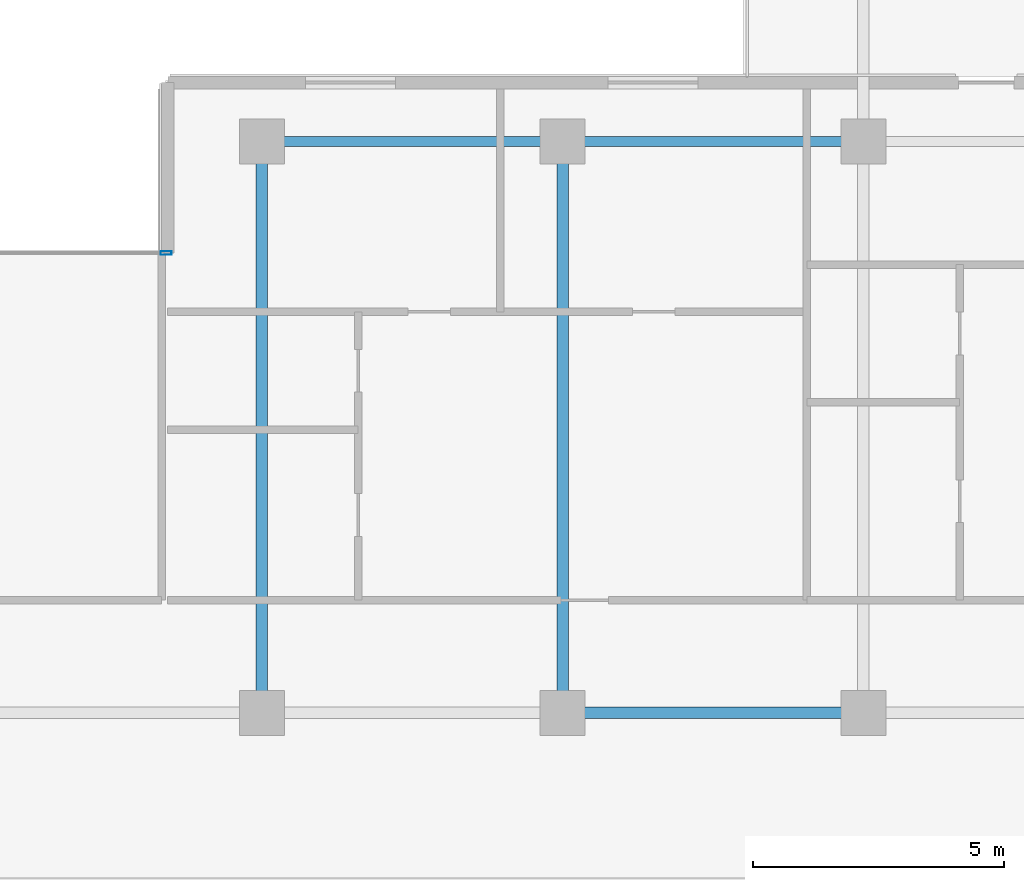
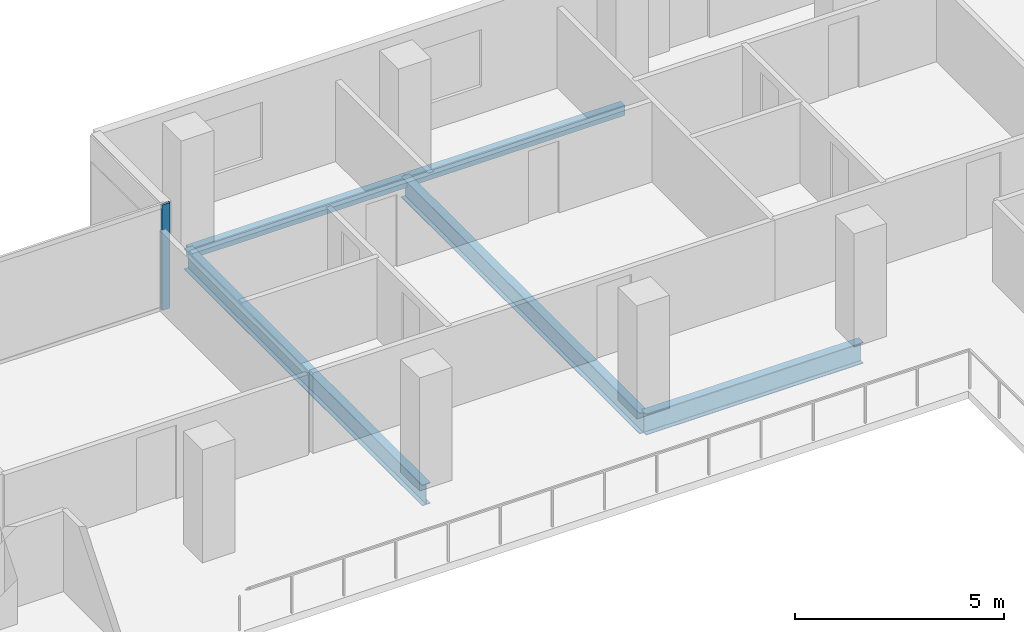
# One storey, part 11 of 29: 5 beams, 1 member, 1 element without a shape of its own.
"""IFC4 building model written with IfcOpenShell, lengths in metres."""

from ifc_helpers import new_model, si_unit, direction, frame, origin, origin_2d, place, context, subcontext, project, spatial, hollow_rectangle, i_section, extrude, material, layer, layer_set, material_profile, profile_set, type_object, element, aggregate, save


model = new_model("IFC4")

# Units and contexts
model_context = context("Model", 3, precision=1e-05, world=origin(), true_north=direction((0.0, 1.0)))
body_context = subcontext(model_context, "Body", "Model", "MODEL_VIEW")
ifc_project = project(units=[si_unit("LENGTHUNIT", "METRE"), si_unit("AREAUNIT", "SQUARE_METRE"), si_unit("VOLUMEUNIT", "CUBIC_METRE"), si_unit("PLANEANGLEUNIT", "RADIAN"), si_unit("MASSUNIT", "GRAM", prefix="KILO")], contexts=[model_context])

# Site, building, storey
site_placement = place(None, origin())
site = spatial("IfcSite", under=ifc_project, at=site_placement, CompositionType="ELEMENT")
building_placement = place(site_placement, origin())
building = spatial("IfcBuilding", under=site, at=building_placement, Name="Tanjung Sevakor Pilgrim Tower", CompositionType="ELEMENT")
storey_placement = place(building_placement, frame((0.0, 0.0, 151.800048828125)))
storey = spatial("IfcBuildingStorey", under=building, at=storey_placement, Name="L42", CompositionType="ELEMENT", Elevation=151.800048828125)

# Beams
ifc_material_1 = material(Name="Steel S355J2", Category="steel")
ifc_material_profile_1 = material_profile(ifc_material_1, i_section(OverallWidth=0.230224609375, OverallDepth=0.6171875, WebThickness=0.01318359375, FlangeThickness=0.022216796875, FilletRadius=0.0126953125, at=origin_2d()))
ifc_profile_set_1 = profile_set([ifc_material_profile_1], Name="Steel S355J2")
beam_type_1 = type_object("IfcBeamType", Name="BM-B-G3-UB_610x229x140", PredefinedType="BEAM", material=ifc_profile_set_1)
beam_placement = place(storey_placement, frame((60.0, 42.60009765625, -0.528564453125), z_axis=(1.0, 0.0, 0.0), x_axis=(0.0, 1.0, 0.0)))
element("IfcBeam", 1, at=beam_placement, inside=storey, type_object=beam_type_1, Name="L42 Primary Floor Girder MAIN Y426-05", PredefinedType="BEAM", context=body_context, shape_type="SweptSolid", body=[
    extrude(i_section(OverallWidth=0.230224609375, OverallDepth=0.6171875, WebThickness=0.01318359375, FlangeThickness=0.022216796875, FilletRadius=0.0126953125, at=origin_2d()), origin(), (0.0, 0.0, 1.0), 6.0),
])
ifc_material_2 = material(Name="Steel S355J2", Category="steel")
ifc_material_profile_2 = material_profile(ifc_material_2, i_section(OverallWidth=0.22900390625, OverallDepth=0.6123046875, WebThickness=0.011962890625, FlangeThickness=0.01953125, FilletRadius=0.0126953125, at=origin_2d()))
ifc_profile_set_2 = profile_set([ifc_material_profile_2], Name="Steel S355J2")
beam_type_2 = type_object("IfcBeamType", Name="BM-B-G4-UB_610x229x125", PredefinedType="BEAM", material=ifc_profile_set_2)
for number, where, z_axis, x_axis, name in (
    (2, (54.0, 42.60009765625, -0.526123046875), (0.0, 1.0, 0.0), (-1.0, 0.0, 0.0), "L42 MAIN Girder 007"),
    (3, (60.0, 42.60009765625, -0.526123046875), (0.0, 1.0, 0.0), (-1.0, 0.0, 0.0), "L42 MAIN Girder 009"),
):
    element("IfcBeam", number, at=place(storey_placement, frame(where, z_axis=z_axis, x_axis=x_axis)), inside=storey, type_object=beam_type_2, Name=name, PredefinedType="BEAM", context=body_context, shape_type="SweptSolid", body=[
        extrude(i_section(OverallWidth=0.22900390625, OverallDepth=0.6123046875, WebThickness=0.011962890625, FlangeThickness=0.01953125, FilletRadius=0.0126953125, at=origin_2d()), origin(), (0.0, 0.0, 1.0), 11.39990234375),
    ])
ifc_material_3 = material(Name="Steel S355J2", Category="steel")
ifc_material_profile_3 = material_profile(ifc_material_3, hollow_rectangle(XDim=0.199951171875, YDim=0.300048828125, WallThickness=0.012451171875, at=origin_2d()))
ifc_profile_set_3 = profile_set([ifc_material_profile_3], Name="Steel S355J2")
beam_type_3 = type_object("IfcBeamType", Name="BM-B-SP3-RHS_300x200x12.5", PredefinedType="SPANDREL", material=ifc_profile_set_3)
for number, where, z_axis, x_axis, name in (
    (4, (54.0, 54.0, -0.3701171875), (1.0, 0.0, 0.0), (0.0, 1.0, 0.0), "L42 Spandrel MAIN N-08"),
    (5, (60.0, 54.0, -0.3701171875), (1.0, 0.0, 0.0), (0.0, 1.0, 0.0), "L42 Spandrel MAIN N-10"),
):
    element("IfcBeam", number, at=place(storey_placement, frame(where, z_axis=z_axis, x_axis=x_axis)), inside=storey, type_object=beam_type_3, Name=name, PredefinedType="SPANDREL", context=body_context, shape_type="SweptSolid", body=[
        extrude(hollow_rectangle(XDim=0.199951171875, YDim=0.300048828125, WallThickness=0.012451171875, at=origin_2d()), origin(), (0.0, 0.0, 1.0), 6.0),
    ])

# Curtain wall, member
ifc_material_4 = material(Name="Aluminium 6063-T6 and Low-E Glass", Category="aluminium")
ifc_layer = layer(ifc_material_4, 0.179931640625)
ifc_layer_set = layer_set([ifc_layer], Name="CW-SYS-CLEFT")
curtain_wall_type = type_object("IfcCurtainWallType", Name="CW-SYS-CLEFT", PredefinedType="NOTDEFINED", material=ifc_layer_set)
curtain_wall_placement = place(storey_placement, origin())
curtain_wall = element("IfcCurtainWall", 6, at=curtain_wall_placement, inside=storey, type_object=curtain_wall_type, Name="L42 Curtain Wall CW-CLF-L42-10", PredefinedType="NOTDEFINED")
ifc_material_5 = material(Name="Aluminium 6063-T6", Category="aluminium")
ifc_material_profile_4 = material_profile(ifc_material_5, hollow_rectangle(XDim=0.074951171875, YDim=0.219970703125, WallThickness=0.0048828125, at=origin_2d()))
ifc_profile_set_4 = profile_set([ifc_material_profile_4], Name="Aluminium 6063-T6")
member_type = type_object("IfcMemberType", Name="TYPE-CWM-2", PredefinedType="MULLION", material=ifc_profile_set_4)
member_placement = place(storey_placement, frame((52.08740234375, 51.77490234375, 0.0), z_axis=(0.0, 0.0, 1.0), x_axis=(0.0, -1.0, 0.0)))
member = element("IfcMember", 7, at=member_placement, type_object=member_type, Name="CW-CLF mullion 1", PredefinedType="MULLION", context=body_context, shape_type="SweptSolid", body=[
    extrude(hollow_rectangle(XDim=0.074951171875, YDim=0.219970703125, WallThickness=0.0048828125, at=origin_2d()), origin(), (0.0, 0.0, 1.0), 3.079833984375),
])
aggregate(curtain_wall, [member])

save(model, "model.ifc")
